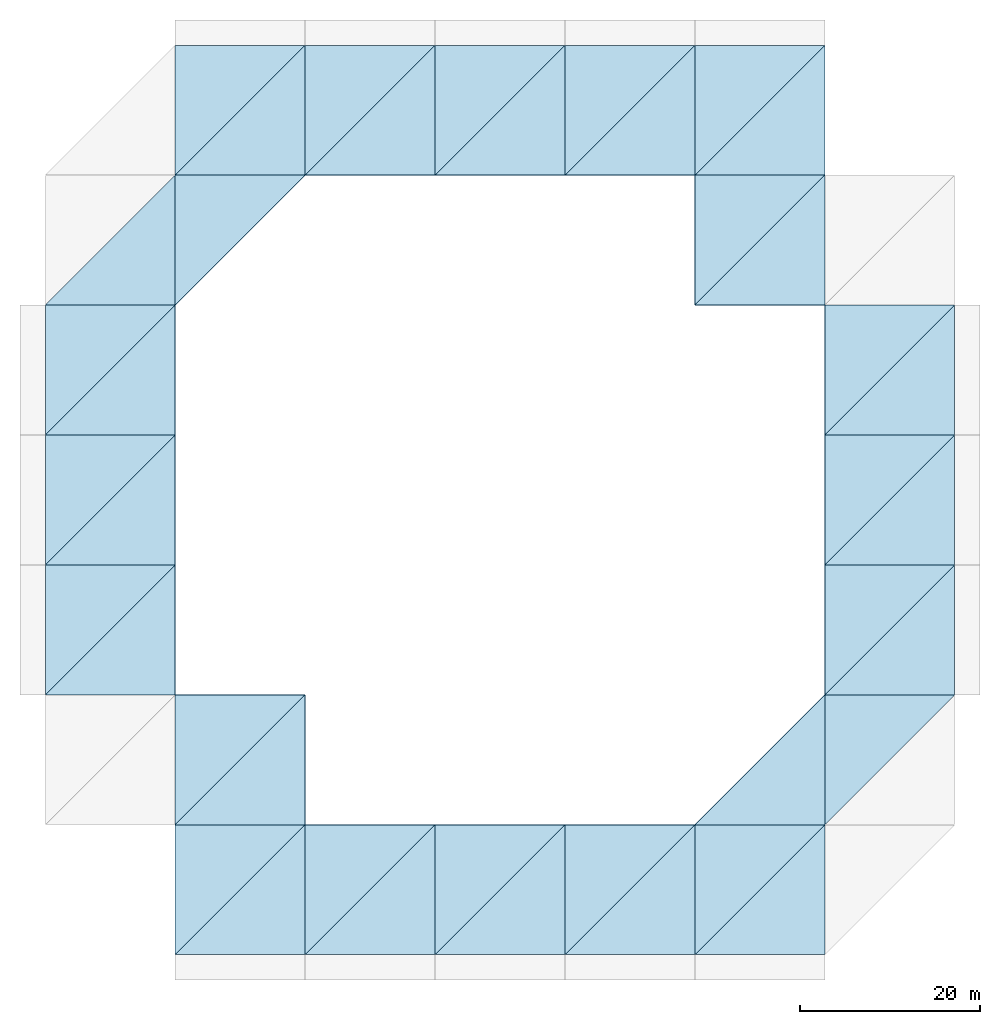
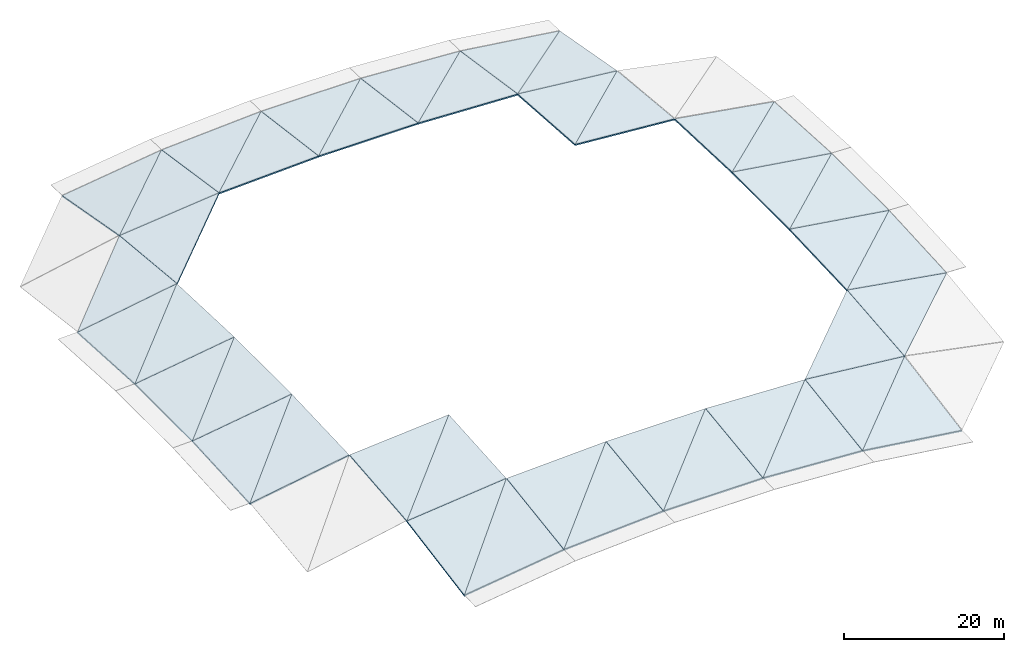
# One storey, part 1 of 3: 40 slabs.
"""IFC4 building model written with IfcOpenShell, lengths in metres."""

from ifc_helpers import new_model, si_unit, direction, frame, origin, place, context, subcontext, project, spatial, polyline, outline, extrude, material, layer, layer_set, type_object, element, save


model = new_model("IFC4")

# Units and contexts
model_context = context("Model", 3, precision=1e-05, world=origin(), true_north=direction((0.0, 1.0)))
body_context = subcontext(model_context, "Body", "Model", "MODEL_VIEW")
ifc_project = project(units=[si_unit("LENGTHUNIT", "METRE"), si_unit("AREAUNIT", "SQUARE_METRE"), si_unit("VOLUMEUNIT", "CUBIC_METRE"), si_unit("PLANEANGLEUNIT", "RADIAN"), si_unit("MASSUNIT", "GRAM", prefix="KILO")], contexts=[model_context])

# Site, building, storey
site_placement = place(None, origin())
site = spatial("IfcSite", under=ifc_project, at=site_placement, CompositionType="ELEMENT")
building_placement = place(site_placement, origin())
building = spatial("IfcBuilding", under=site, at=building_placement, Name="Qandorah Velis Arena", CompositionType="ELEMENT")
storey_placement = place(building_placement, frame((0.0, 0.0, 32.199951171875)))
storey = spatial("IfcBuildingStorey", under=building, at=storey_placement, Name="MAIN ROOF", CompositionType="ELEMENT", Elevation=32.199951171875)

# Slabs
ifc_material = material(Name="Concrete C40/50", Category="concrete")
ifc_layer = layer(ifc_material, 0.179931640625)
ifc_layer_set = layer_set([ifc_layer], Name="Concrete C40/50")
slab_type = type_object("IfcSlabType", Name="STR-SLB-RF180", PredefinedType="ROOF", material=ifc_layer_set)
slab_1_placement = place(storey_placement, frame((14.39990234375, 43.199951171875, 2.223388671875), z_axis=(-0.164880949534, -0.039398994629, 0.985526251149), x_axis=(0.986292049543, 0.0, 0.165009069476)))
element("IfcSlab", 1, at=slab_1_placement, inside=storey, type_object=slab_type, Name="Arena space-frame roof deck panel 0.2A", PredefinedType="ROOF", context=body_context, shape_type="SweptSolid", body=[
    extrude(outline(polyline([(0.0, 0.0), (14.60028648822071, 1.3877787807814457e-17), (14.69527950233783, 14.411336048362745), (0.0, 0.0)])), origin(), (0.0, 0.0, -1.0), 0.179931640625),
])
slab_2_placement = place(storey_placement, frame((14.39990234375, 43.199951171875, 2.223388671875), z_axis=(-0.148277227386, -0.056378155547, 0.987337514438), x_axis=(0.699631788973, 0.699631788973, 0.145019721818)))
element("IfcSlab", 2, at=slab_2_placement, inside=storey, type_object=slab_type, Name="Arena space-frame roof deck panel 0.2B", PredefinedType="ROOF", context=body_context, shape_type="SweptSolid", body=[
    extrude(outline(polyline([(0.0, 0.0), (20.58246453539201, 4.996003610813204e-16), (10.194044978538237, 10.20400835481105), (0.0, 0.0)])), origin(), (0.0, 0.0, -1.0), 0.179931640625),
])
slab_3_placement = place(storey_placement, frame((14.39990234375, 57.60009765625, 3.045654296875), z_axis=(-0.148513439954, 0.0, 0.988910389344), x_axis=(0.988910389344, 0.0, 0.148513439954)))
element("IfcSlab", 3, at=slab_3_placement, inside=storey, type_object=slab_type, Name="Arena space-frame roof deck panel 0.3A", PredefinedType="ROOF", context=body_context, shape_type="SweptSolid", body=[
    extrude(outline(polyline([(0.0, 0.0), (14.561629283643905, 0.0), (14.561629283643905, 14.39990234375), (0.0, 0.0)])), origin(), (0.0, 0.0, -1.0), 0.179931640625),
])
slab_4_placement = place(storey_placement, frame((14.39990234375, 57.60009765625, 3.045654296875), z_axis=(-0.148513439954, 0.0, 0.988910389344), x_axis=(0.703159114855, 0.703147193468, 0.105599637851)))
element("IfcSlab", 4, at=slab_4_placement, inside=storey, type_object=slab_type, Name="Arena space-frame roof deck panel 0.3B", PredefinedType="ROOF", context=body_context, shape_type="SweptSolid", body=[
    extrude(outline(polyline([(0.0, 0.0), (20.479214704275464, 1.0269562977782698e-15), (10.125250919228197, 10.238968763122843), (0.0, 0.0)])), origin(), (0.0, 0.0, -1.0), 0.179931640625),
])
slab_5_placement = place(storey_placement, frame((14.39990234375, 72.0, 3.045654296875), z_axis=(-0.148397511642, 0.039504094054, 0.988138454414), x_axis=(0.988910389344, 0.0, 0.148513439954)))
element("IfcSlab", 5, at=slab_5_placement, inside=storey, type_object=slab_type, Name="Arena space-frame roof deck panel 0.4A", PredefinedType="ROOF", context=body_context, shape_type="SweptSolid", body=[
    extrude(outline(polyline([(0.0, 0.0), (14.561629283643905, 0.0), (14.476132532810965, 14.411151564508879), (0.0, 0.0)])), origin(), (0.0, 0.0, -1.0), 0.179931640625),
])
slab_6_placement = place(storey_placement, frame((14.39990234375, 72.0, 3.045654296875), z_axis=(-0.164747996203, 0.056230305906, 0.984731562633), x_axis=(0.704975617154, 0.704963664971, 0.077689190301)))
element("IfcSlab", 6, at=slab_6_placement, inside=storey, type_object=slab_type, Name="Arena space-frame roof deck panel 0.4B", PredefinedType="ROOF", context=body_context, shape_type="SweptSolid", body=[
    extrude(outline(polyline([(0.0, 0.0), (20.426446154991197, -1.8596235662471372e-15), (10.087526780852432, 10.308982089089994), (0.0, 0.0)])), origin(), (0.0, 0.0, -1.0), 0.179931640625),
])
slab_7_placement = place(storey_placement, frame((14.39990234375, 86.39990234375, 2.223388671875), z_axis=(-0.164264096134, 0.094916282545, 0.981839195607), x_axis=(0.986292049543, 0.0, 0.165009069476)))
element("IfcSlab", 7, at=slab_7_placement, inside=storey, type_object=slab_type, Name="Arena space-frame roof deck panel 0.5A", PredefinedType="ROOF", context=body_context, shape_type="SweptSolid", body=[
    extrude(outline(polyline([(0.0, 0.0), (14.60028648822071, -2.7755575615628914e-17), (14.370579038476945, 14.465454275343786), (0.0, 0.0)])), origin(), (0.0, 0.0, -1.0), 0.179931640625),
])
slab_8_placement = place(storey_placement, frame((28.800048828125, 14.39990234375, 0.626953125), z_axis=(-0.132551050541, -0.147056715158, 0.980206377008), x_axis=(0.990980253134, 0.0, 0.134007976993)))
element("IfcSlab", 8, at=slab_8_placement, inside=storey, type_object=slab_type, Name="Arena space-frame roof deck panel 1.0A", PredefinedType="ROOF", context=body_context, shape_type="SweptSolid", body=[
    extrude(outline(polyline([(0.0, 0.0), (14.530967996793724, 5.551115123125783e-17), (14.820478882636214, 14.558424779702266), (0.0, 0.0)])), origin(), (0.0, 0.0, -1.0), 0.179931640625),
])
slab_9_placement = place(storey_placement, frame((28.800048828125, 14.39990234375, 0.626953125), z_axis=(-0.101564714254, -0.177652260263, 0.978838231396), x_axis=(0.693141151306, 0.693152903046, 0.197723031954)))
element("IfcSlab", 9, at=slab_9_placement, inside=storey, type_object=slab_type, Name="Arena space-frame roof deck panel 1.0B", PredefinedType="ROOF", context=body_context, shape_type="SweptSolid", body=[
    extrude(outline(polyline([(0.0, 0.0), (20.774848408036945, 1.8318679906315083e-15), (10.498257504258236, 10.197123276355196), (0.0, 0.0)])), origin(), (0.0, 0.0, -1.0), 0.179931640625),
])
slab_10_placement = place(storey_placement, frame((28.800048828125, 28.800048828125, 3.240478515625), z_axis=(-0.102946643799, -0.070901977715, 0.99215669029), x_axis=(0.994659963096, 0.0, 0.10320638456)))
element("IfcSlab", 10, at=slab_10_placement, inside=storey, type_object=slab_type, Name="Arena space-frame roof deck panel 1.1A", PredefinedType="ROOF", context=body_context, shape_type="SweptSolid", body=[
    extrude(outline(polyline([(0.0, 0.0), (14.47721118575025, -1.3877787807814457e-17), (14.583415997987181, 14.43623418961881), (0.0, 0.0)])), origin(), (0.0, 0.0, -1.0), 0.179931640625),
])
slab_11_placement = place(storey_placement, frame((28.800048828125, 28.800048828125, 3.240478515625), z_axis=(-0.077947011056, -0.095932194483, 0.992331233777), x_axis=(0.701740894356, 0.701740894356, 0.122961109206)))
element("IfcSlab", 11, at=slab_11_placement, inside=storey, type_object=slab_type, Name="Arena space-frame roof deck panel 1.1B", PredefinedType="ROOF", context=body_context, shape_type="SweptSolid", body=[
    extrude(outline(polyline([(0.0, 0.0), (20.520255352891386, -2.3592239273284576e-16), (10.276173260642574, 10.183092102100579), (0.0, 0.0)])), origin(), (0.0, 0.0, -1.0), 0.179931640625),
])
slab_12_placement = place(storey_placement, frame((28.800048828125, 86.39990234375, 4.632568359375), z_axis=(-0.102732548998, 0.095714225985, 0.990093334146), x_axis=(0.707091908867, 0.707103897133, 0.005011095214)))
element("IfcSlab", 12, at=slab_12_placement, inside=storey, type_object=slab_type, Name="Arena space-frame roof deck panel 1.5B", PredefinedType="ROOF", context=body_context, shape_type="SweptSolid", body=[
    extrude(outline(polyline([(0.0, 0.0), (20.364965520298536, 1.1934897514720433e-15), (10.17542380362916, 10.284108290030142), (0.0, 0.0)])), origin(), (0.0, 0.0, -1.0), 0.179931640625),
])
slab_13_placement = place(storey_placement, frame((28.800048828125, 100.800048828125, 3.240478515625), z_axis=(-0.102076081769, 0.147593341106, 0.983766577594), x_axis=(0.994659963096, 0.0, 0.10320638456)))
element("IfcSlab", 13, at=slab_13_placement, inside=storey, type_object=slab_type, Name="Arena space-frame roof deck panel 1.6A", PredefinedType="ROOF", context=body_context, shape_type="SweptSolid", body=[
    extrude(outline(polyline([(0.0, 0.0), (14.47721118575025, 0.0), (14.254244072230767, 14.55935448512873), (0.0, 0.0)])), origin(), (0.0, 0.0, -1.0), 0.179931640625),
])
slab_14_placement = place(storey_placement, frame((28.800048828125, 100.800048828125, 3.240478515625), z_axis=(-0.131891657336, 0.177018579712, 0.975330207244), x_axis=(0.706728648153, 0.706728648153, -0.032699170608)))
element("IfcSlab", 14, at=slab_14_placement, inside=storey, type_object=slab_type, Name="Arena space-frame roof deck panel 1.6B", PredefinedType="ROOF", context=body_context, shape_type="SweptSolid", body=[
    extrude(outline(polyline([(0.0, 0.0), (20.37543317562511, 1.27675647831893e-15), (10.262283629576606, 10.434233904944936), (0.0, 0.0)])), origin(), (0.0, 0.0, -1.0), 0.179931640625),
])
slab_15_placement = place(storey_placement, frame((43.199951171875, 14.39990234375, 2.57421875), z_axis=(-0.058874261588, -0.131087091987, 0.989621137424), x_axis=(0.998235051333, 0.0, 0.059386718124)))
element("IfcSlab", 15, at=slab_15_placement, inside=storey, type_object=slab_type, Name="Arena space-frame roof deck panel 2.0A", PredefinedType="ROOF", context=body_context, shape_type="SweptSolid", body=[
    extrude(outline(polyline([(0.0, 0.0), (14.425606940110121, 0.0), (14.538885365087063, 14.525489019415925), (0.0, 0.0)])), origin(), (0.0, 0.0, -1.0), 0.179931640625),
])
slab_16_placement = place(storey_placement, frame((43.199951171875, 14.39990234375, 2.57421875), z_axis=(-0.041427709812, -0.148238497423, 0.988083545426), x_axis=(0.700681873476, 0.700681873476, 0.134498417705)))
element("IfcSlab", 16, at=slab_16_placement, inside=storey, type_object=slab_type, Name="Arena space-frame roof deck panel 2.0B", PredefinedType="ROOF", context=body_context, shape_type="SweptSolid", body=[
    extrude(outline(polyline([(0.0, 0.0), (20.551618401291794, -5.828670879282072e-16), (10.380492051144781, 10.211607777200923), (0.0, 0.0)])), origin(), (0.0, 0.0, -1.0), 0.179931640625),
])
slab_17_placement = place(storey_placement, frame((43.199951171875, 100.800048828125, 4.734619140625), z_axis=(-0.04152840542, 0.131203773785, 0.990485215078), x_axis=(0.999122206427, 0.0, 0.04189053145)))
element("IfcSlab", 17, at=slab_17_placement, inside=storey, type_object=slab_type, Name="Arena space-frame roof deck panel 2.6A", PredefinedType="ROOF", context=body_context, shape_type="SweptSolid", body=[
    extrude(outline(polyline([(0.0, 0.0), (14.412797945785726, 0.0), (14.332892984307234, 14.52546891463226), (0.0, 0.0)])), origin(), (0.0, 0.0, -1.0), 0.179931640625),
])
slab_18_placement = place(storey_placement, frame((43.199951171875, 100.800048828125, 4.734619140625), z_axis=(-0.058731715968, 0.148112216029, 0.9872250792), x_axis=(0.705668225813, 0.705656261887, -0.063887362898)))
element("IfcSlab", 18, at=slab_18_placement, inside=storey, type_object=slab_type, Name="Arena space-frame roof deck panel 2.6B", PredefinedType="ROOF", context=body_context, shape_type="SweptSolid", body=[
    extrude(outline(polyline([(0.0, 0.0), (20.40639773427813, 3.608224830031759e-16), (10.299403543190259, 10.293046391223026), (0.0, 0.0)])), origin(), (0.0, 0.0, -1.0), 0.179931640625),
])
slab_19_placement = place(storey_placement, frame((57.60009765625, 14.39990234375, 3.430908203125), z_axis=(0.0, -0.13131486994, 0.991340710822), x_axis=(1.0, 0.0, 0.0)))
element("IfcSlab", 19, at=slab_19_placement, inside=storey, type_object=slab_type, Name="Arena space-frame roof deck panel 3.0A", PredefinedType="ROOF", context=body_context, shape_type="SweptSolid", body=[
    extrude(outline(polyline([(0.0, 0.0), (14.39990234375, 0.0), (14.39990234375, 14.525930719053353), (0.0, 0.0)])), origin(), (0.0, 0.0, -1.0), 0.179931640625),
])
slab_20_placement = place(storey_placement, frame((57.60009765625, 14.39990234375, 3.430908203125), z_axis=(0.0, -0.13131486994, 0.991340710822), x_axis=(0.704019270936, 0.704031207108, 0.093257308396)))
element("IfcSlab", 20, at=slab_20_placement, inside=storey, type_object=slab_type, Name="Arena space-frame roof deck panel 3.0B", PredefinedType="ROOF", context=body_context, shape_type="SweptSolid", body=[
    extrude(outline(polyline([(0.0, 0.0), (20.45384684513587, 1.304512053934559e-15), (10.316038095538806, 10.226535154495387), (0.0, 0.0)])), origin(), (0.0, 0.0, -1.0), 0.179931640625),
])
slab_21_placement = place(storey_placement, frame((57.60009765625, 100.800048828125, 5.33837890625), z_axis=(0.0, 0.131317057903, 0.991340420998), x_axis=(1.0, 0.0, 0.0)))
element("IfcSlab", 21, at=slab_21_placement, inside=storey, type_object=slab_type, Name="Arena space-frame roof deck panel 3.6A", PredefinedType="ROOF", context=body_context, shape_type="SweptSolid", body=[
    extrude(outline(polyline([(0.0, 0.0), (14.39990234375, 0.0), (14.39990234375, 14.525688692548002), (0.0, 0.0)])), origin(), (0.0, 0.0, -1.0), 0.179931640625),
])
slab_22_placement = place(storey_placement, frame((57.60009765625, 100.800048828125, 5.33837890625), z_axis=(0.0, 0.131317057903, 0.991340420998), x_axis=(0.704025187142, 0.704025187142, -0.093258092081)))
element("IfcSlab", 22, at=slab_22_placement, inside=storey, type_object=slab_type, Name="Arena space-frame roof deck panel 3.6B", PredefinedType="ROOF", context=body_context, shape_type="SweptSolid", body=[
    extrude(outline(polyline([(0.0, 0.0), (20.453674963251807, -1.27675647831893e-15), (10.31578102086316, 10.226450700141097), (0.0, 0.0)])), origin(), (0.0, 0.0, -1.0), 0.179931640625),
])
slab_23_placement = place(storey_placement, frame((72.0, 14.39990234375, 3.430908203125), z_axis=(0.058732730133, -0.148109751353, 0.987225388635), x_axis=(0.998234991644, 0.0, -0.059387721435)))
element("IfcSlab", 23, at=slab_23_placement, inside=storey, type_object=slab_type, Name="Arena space-frame roof deck panel 4.0A", PredefinedType="ROOF", context=body_context, shape_type="SweptSolid", body=[
    extrude(outline(polyline([(0.0, 0.0), (14.425363230388077, -2.7755575615628914e-17), (14.297061973801572, 14.560737873021019), (0.0, 0.0)])), origin(), (0.0, 0.0, -1.0), 0.179931640625),
])
slab_24_placement = place(storey_placement, frame((72.0, 14.39990234375, 3.430908203125), z_axis=(0.041529120412, -0.131201583807, 0.990485475191), x_axis=(0.705656261887, 0.705668225813, 0.063887362898)))
element("IfcSlab", 24, at=slab_24_placement, inside=storey, type_object=slab_type, Name="Arena space-frame roof deck panel 4.0B", PredefinedType="ROOF", context=body_context, shape_type="SweptSolid", body=[
    extrude(outline(polyline([(0.0, 0.0), (20.40639773427813, -9.71445146547012e-16), (10.283589094099659, 10.259164615038225), (0.0, 0.0)])), origin(), (0.0, 0.0, -1.0), 0.179931640625),
])
slab_25_placement = place(storey_placement, frame((72.0, 100.800048828125, 5.33837890625), z_axis=(0.04142839555, 0.148240951163, 0.988083148546), x_axis=(0.999122176701, 0.0, -0.041891240429)))
element("IfcSlab", 25, at=slab_25_placement, inside=storey, type_object=slab_type, Name="Arena space-frame roof deck panel 4.6A", PredefinedType="ROOF", context=body_context, shape_type="SweptSolid", body=[
    extrude(outline(polyline([(0.0, 0.0), (14.412554019469427, -1.3877787807814457e-17), (14.503055871655922, 14.560780431422632), (0.0, 0.0)])), origin(), (0.0, 0.0, -1.0), 0.179931640625),
])
slab_26_placement = place(storey_placement, frame((72.0, 100.800048828125, 5.33837890625), z_axis=(0.058875239148, 0.131089268585, 0.989620790948), x_axis=(0.700681658574, 0.700681658574, -0.134500656783)))
element("IfcSlab", 26, at=slab_26_placement, inside=storey, type_object=slab_type, Name="Arena space-frame roof deck panel 4.6B", PredefinedType="ROOF", context=body_context, shape_type="SweptSolid", body=[
    extrude(outline(polyline([(0.0, 0.0), (20.551276271523225, -4.440892098500626e-16), (10.346303519891775, 10.195569403770051), (0.0, 0.0)])), origin(), (0.0, 0.0, -1.0), 0.179931640625),
])
slab_27_placement = place(storey_placement, frame((86.39990234375, 14.39990234375, 2.57421875), z_axis=(0.131889530204, -0.177015724779, 0.975331013043), x_axis=(0.990980554849, 0.0, -0.134005745816)))
element("IfcSlab", 27, at=slab_27_placement, inside=storey, type_object=slab_type, Name="Arena space-frame roof deck panel 5.0A", PredefinedType="ROOF", context=body_context, shape_type="SweptSolid", body=[
    extrude(outline(polyline([(0.0, 0.0), (14.531209935368917, 0.0), (14.180982516188799, 14.631202086423169), (0.0, 0.0)])), origin(), (0.0, 0.0, -1.0), 0.179931640625),
])
slab_28_placement = place(storey_placement, frame((86.39990234375, 14.39990234375, 2.57421875), z_axis=(0.102074406897, -0.147590919384, 0.983767114704), x_axis=(0.706728660965, 0.706728660965, 0.032698616818)))
element("IfcSlab", 28, at=slab_28_placement, inside=storey, type_object=slab_type, Name="Arena space-frame roof deck panel 5.0B", PredefinedType="ROOF", context=body_context, shape_type="SweptSolid", body=[
    extrude(outline(polyline([(0.0, 0.0), (20.375778257975966, 7.077671781985373e-16), (10.247638347145678, 10.344924210712215), (0.0, 0.0)])), origin(), (0.0, 0.0, -1.0), 0.179931640625),
])
slab_29_placement = place(storey_placement, frame((86.39990234375, 28.800048828125, 4.734619140625), z_axis=(0.102730809691, -0.095715851015, 0.99009335752), x_axis=(0.994660142717, 0.0, -0.103204653433)))
element("IfcSlab", 29, at=slab_29_placement, inside=storey, type_object=slab_type, Name="Arena space-frame roof deck panel 5.1A", PredefinedType="ROOF", context=body_context, shape_type="SweptSolid", body=[
    extrude(outline(polyline([(0.0, 0.0), (14.477454022677229, -2.7755575615628914e-17), (14.33378387280566, 14.466321596406065), (0.0, 0.0)])), origin(), (0.0, 0.0, -1.0), 0.179931640625),
])
slab_30_placement = place(storey_placement, frame((86.39990234375, 86.39990234375, 5.763671875), z_axis=(0.07794570973, 0.095930592894, 0.992331490824), x_axis=(0.996929303331, 0.0, -0.078306858965)))
element("IfcSlab", 30, at=slab_30_placement, inside=storey, type_object=slab_type, Name="Arena space-frame roof deck panel 5.5A", PredefinedType="ROOF", context=body_context, shape_type="SweptSolid", body=[
    extrude(outline(polyline([(0.0, 0.0), (14.444501165997979, 0.0), (14.553511349059063, 14.466867307213356), (0.0, 0.0)])), origin(), (0.0, 0.0, -1.0), 0.179931640625),
])
slab_31_placement = place(storey_placement, frame((86.39990234375, 86.39990234375, 5.763671875), z_axis=(0.102944925709, 0.070900794422, 0.992156953118), x_axis=(0.701741074236, 0.701741074236, -0.122959056037)))
element("IfcSlab", 31, at=slab_31_placement, inside=storey, type_object=slab_type, Name="Arena space-frame roof deck panel 5.5B", PredefinedType="ROOF", context=body_context, shape_type="SweptSolid", body=[
    extrude(outline(polyline([(0.0, 0.0), (20.520597999856374, 3.608224830031759e-16), (10.231705615925467, 10.185056135860105), (0.0, 0.0)])), origin(), (0.0, 0.0, -1.0), 0.179931640625),
])
slab_32_placement = place(storey_placement, frame((86.39990234375, 100.800048828125, 4.734619140625), z_axis=(0.101562955739, 0.177655208245, 0.978837878816), x_axis=(0.994660142717, 0.0, -0.103204653433)))
element("IfcSlab", 32, at=slab_32_placement, inside=storey, type_object=slab_type, Name="Arena space-frame roof deck panel 5.6A", PredefinedType="ROOF", context=body_context, shape_type="SweptSolid", body=[
    extrude(outline(polyline([(0.0, 0.0), (14.477454022677229, 5.551115123125783e-17), (14.747182004854558, 14.632667196810322), (0.0, 0.0)])), origin(), (0.0, 0.0, -1.0), 0.179931640625),
])
slab_33_placement = place(storey_placement, frame((86.39990234375, 100.800048828125, 4.734619140625), z_axis=(0.13254879415, 0.147059198291, 0.980206309594), x_axis=(0.693152903046, 0.693141151306, -0.197723031954)))
element("IfcSlab", 33, at=slab_33_placement, inside=storey, type_object=slab_type, Name="Arena space-frame roof deck panel 5.6B", PredefinedType="ROOF", context=body_context, shape_type="SweptSolid", body=[
    extrude(outline(polyline([(0.0, 0.0), (20.774848408036945, 2.0816681711721685e-16), (10.408325804707147, 10.182891107166803), (0.0, 0.0)])), origin(), (0.0, 0.0, -1.0), 0.179931640625),
])
slab_34_placement = place(storey_placement, frame((100.800048828125, 28.800048828125, 3.240478515625), z_axis=(0.164266780881, -0.094917833866, 0.981838596467), x_axis=(0.706226517076, 0.706226517076, -0.049881992305)))
element("IfcSlab", 34, at=slab_34_placement, inside=storey, type_object=slab_type, Name="Arena space-frame roof deck panel 6.1B", PredefinedType="ROOF", context=body_context, shape_type="SweptSolid", body=[
    extrude(outline(polyline([(0.0, 0.0), (20.389920224692712, -8.326672684688674e-16), (10.100152663592619, 10.35770330791202), (0.0, 0.0)])), origin(), (0.0, 0.0, -1.0), 0.179931640625),
])
slab_35_placement = place(storey_placement, frame((100.800048828125, 43.199951171875, 4.632568359375), z_axis=(0.164750722412, -0.056229329714, 0.98473116227), x_axis=(0.986291594235, 0.0, -0.165011790918)))
element("IfcSlab", 35, at=slab_35_placement, inside=storey, type_object=slab_type, Name="Arena space-frame roof deck panel 6.2A", PredefinedType="ROOF", context=body_context, shape_type="SweptSolid", body=[
    extrude(outline(polyline([(0.0, 0.0), (14.600045694318883, 2.7755575615628914e-17), (14.464362170927561, 14.42296535082139), (0.0, 0.0)])), origin(), (0.0, 0.0, -1.0), 0.179931640625),
])
slab_36_placement = place(storey_placement, frame((100.800048828125, 43.199951171875, 4.632568359375), z_axis=(0.14839997614, -0.039503410596, 0.988138111618), x_axis=(0.704963664971, 0.704975617154, -0.077689190301)))
element("IfcSlab", 36, at=slab_36_placement, inside=storey, type_object=slab_type, Name="Arena space-frame roof deck panel 6.2B", PredefinedType="ROOF", context=body_context, shape_type="SweptSolid", body=[
    extrude(outline(polyline([(0.0, 0.0), (20.426446154991197, -6.38378239159465e-16), (10.107027762660472, 10.273442469609739), (0.0, 0.0)])), origin(), (0.0, 0.0, -1.0), 0.179931640625),
])
slab_37_placement = place(storey_placement, frame((100.800048828125, 57.60009765625, 5.208251953125), z_axis=(0.148515902361, 0.0, 0.98891001954), x_axis=(0.98891001954, 0.0, -0.148515902361)))
element("IfcSlab", 37, at=slab_37_placement, inside=storey, type_object=slab_type, Name="Arena space-frame roof deck panel 6.3A", PredefinedType="ROOF", context=body_context, shape_type="SweptSolid", body=[
    extrude(outline(polyline([(0.0, 0.0), (14.561387850488522, 0.0), (14.561387850488522, 14.39990234375), (0.0, 0.0)])), origin(), (0.0, 0.0, -1.0), 0.179931640625),
])
slab_38_placement = place(storey_placement, frame((100.800048828125, 57.60009765625, 5.208251953125), z_axis=(0.148515902361, 0.0, 0.98891001954), x_axis=(0.703153087716, 0.703153087716, -0.105600523058)))
element("IfcSlab", 38, at=slab_38_placement, inside=storey, type_object=slab_type, Name="Arena space-frame roof deck panel 6.3B", PredefinedType="ROOF", context=body_context, shape_type="SweptSolid", body=[
    extrude(outline(polyline([(0.0, 0.0), (20.479043035305423, 4.996003610813204e-16), (10.125335795821002, 10.238884828505624), (0.0, 0.0)])), origin(), (0.0, 0.0, -1.0), 0.179931640625),
])
slab_39_placement = place(storey_placement, frame((100.800048828125, 72.0, 5.208251953125), z_axis=(0.148279678062, 0.056379087346, 0.987337093187), x_axis=(0.98891001954, 0.0, -0.148515902361)))
element("IfcSlab", 39, at=slab_39_placement, inside=storey, type_object=slab_type, Name="Arena space-frame roof deck panel 6.4A", PredefinedType="ROOF", context=body_context, shape_type="SweptSolid", body=[
    extrude(outline(polyline([(0.0, 0.0), (14.561387850488524, -1.3877787807814457e-17), (14.68350737176618, 14.422842822762657), (0.0, 0.0)])), origin(), (0.0, 0.0, -1.0), 0.179931640625),
])
slab_40_placement = place(storey_placement, frame((100.800048828125, 72.0, 5.208251953125), z_axis=(0.164883664641, 0.039399643415, 0.985525770964), x_axis=(0.699631539509, 0.699631539509, -0.14502212882)))
element("IfcSlab", 40, at=slab_40_placement, inside=storey, type_object=slab_type, Name="Arena space-frame roof deck panel 6.4B", PredefinedType="ROOF", context=body_context, shape_type="SweptSolid", body=[
    extrude(outline(polyline([(0.0, 0.0), (20.58212291836846, -1.0547118733938987e-15), (10.158112705835137, 10.22258995388157), (0.0, 0.0)])), origin(), (0.0, 0.0, -1.0), 0.179931640625),
])

save(model, "model.ifc")
